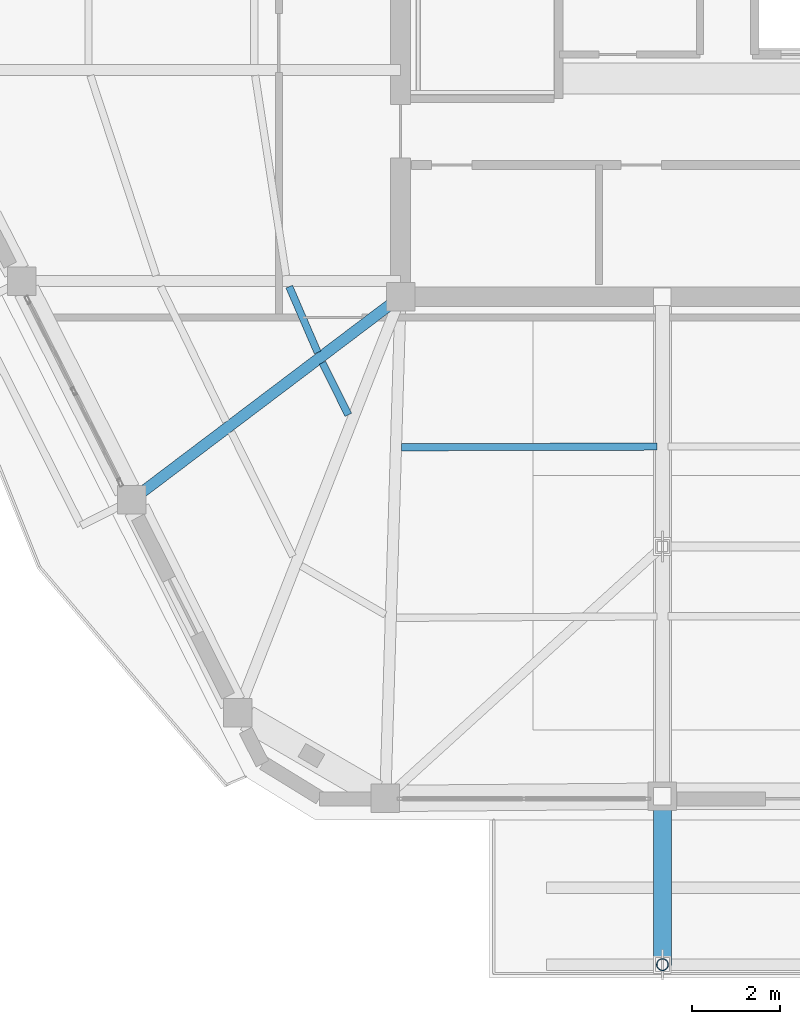
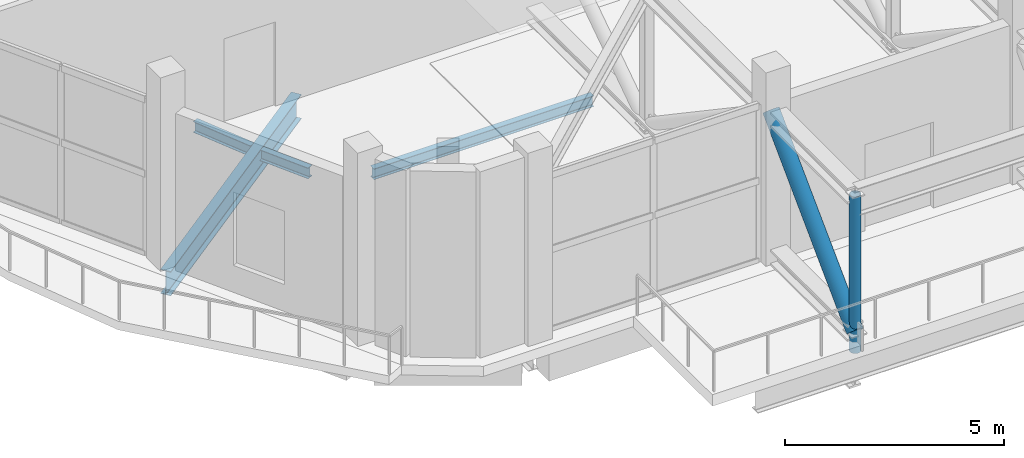
# One storey, part 4 of 23: 4 beams, 2 members.
"""IFC4 building model written with IfcOpenShell, lengths in metres."""

from ifc_helpers import new_model, si_unit, direction, frame, origin, origin_2d, place, context, subcontext, project, spatial, hollow_circle, i_section, extrude, material, material_profile, profile_set, type_object, element, save


model = new_model("IFC4")

# Units and contexts
model_context = context("Model", 3, precision=1e-05, world=origin(), true_north=direction((0.0, 1.0)))
body_context = subcontext(model_context, "Body", "Model", "MODEL_VIEW")
ifc_project = project(units=[si_unit("LENGTHUNIT", "METRE"), si_unit("AREAUNIT", "SQUARE_METRE"), si_unit("VOLUMEUNIT", "CUBIC_METRE"), si_unit("PLANEANGLEUNIT", "RADIAN"), si_unit("MASSUNIT", "GRAM", prefix="KILO")], contexts=[model_context])

# Site, building, storey
site_placement = place(None, origin())
site = spatial("IfcSite", under=ifc_project, at=site_placement, CompositionType="ELEMENT")
building_placement = place(site_placement, origin())
building = spatial("IfcBuilding", under=site, at=building_placement, Name="Cinnabar Lancet Tower", CompositionType="ELEMENT")
storey_placement = place(building_placement, frame((0.0, 0.0, 278.10009765625)))
storey = spatial("IfcBuildingStorey", under=building, at=storey_placement, Name="L74", CompositionType="ELEMENT", Elevation=278.10009765625)

# Beams
ifc_material_1 = material(Name="Structural steel S355", Category="steel")
ifc_material_profile_1 = material_profile(ifc_material_1, i_section(OverallWidth=0.1650390625, OverallDepth=0.303466796875, WebThickness=0.006103515625, FlangeThickness=0.01025390625, FilletRadius=0.0087890625, at=origin_2d()), Name="UKB 305x165x40")
ifc_profile_set_1 = profile_set([ifc_material_profile_1], Name="Structural steel S355")
beam_type_1 = type_object("IfcBeamType", Name="STR-BM-JST-305", PredefinedType="JOIST", material=ifc_profile_set_1)
beam_1_placement = place(storey_placement, frame((20.637939453125, 18.906005859375, -0.43212890625), z_axis=(0.396550498393, -0.918012909618, 0.0), x_axis=(0.918012909618, 0.396550498393, 0.0)))
element("IfcBeam", 1, at=beam_1_placement, inside=storey, type_object=beam_type_1, Name="L74 Secondary Floor Joist 4", PredefinedType="JOIST", context=body_context, shape_type="SweptSolid", body=[
    extrude(i_section(OverallWidth=0.1650390625, OverallDepth=0.303466796875, WebThickness=0.006103515625, FlangeThickness=0.01025390625, FilletRadius=0.0087890625, at=origin_2d()), origin(), (0.0, 0.0, 1.0), 1.634033203125),
])
beam_2_placement = place(storey_placement, frame((21.39501953125, 17.1708984375, -0.43212890625), z_axis=(0.444117564744, -0.895968519919, 0.0), x_axis=(0.895968519919, 0.444117564744, 0.0)))
element("IfcBeam", 2, at=beam_2_placement, inside=storey, type_object=beam_type_1, Name="L74 Secondary Floor Joist 6", PredefinedType="JOIST", context=body_context, shape_type="SweptSolid", body=[
    extrude(i_section(OverallWidth=0.1650390625, OverallDepth=0.303466796875, WebThickness=0.006103515625, FlangeThickness=0.01025390625, FilletRadius=0.0087890625, at=origin_2d()), origin(), (0.0, 0.0, 1.0), 1.325927734375),
])
beam_3_placement = place(storey_placement, frame((23.197998046875, 15.2451171875, -0.43212890625), z_axis=(0.999996727303, 0.002558394513, 0.0), x_axis=(-0.002558394513, 0.999996727303, 0.0)))
element("IfcBeam", 3, at=beam_3_placement, inside=storey, type_object=beam_type_1, Name="L74 Secondary Floor Joist 9", PredefinedType="JOIST", context=body_context, shape_type="SweptSolid", body=[
    extrude(i_section(OverallWidth=0.1650390625, OverallDepth=0.303466796875, WebThickness=0.006103515625, FlangeThickness=0.01025390625, FilletRadius=0.0087890625, at=origin_2d()), origin(), (0.0, 0.0, 1.0), 5.821044921875),
])
ifc_material_2 = material(Name="Structural steel S355", Category="steel")
ifc_material_profile_2 = material_profile(ifc_material_2, i_section(OverallWidth=0.253662109375, OverallDepth=0.68359375, WebThickness=0.012451171875, FlangeThickness=0.01904296875, FilletRadius=0.01513671875, at=origin_2d()), Name="UKB 686x254x140")
ifc_profile_set_2 = profile_set([ifc_material_profile_2], Name="Structural steel S355")
beam_type_2 = type_object("IfcBeamType", Name="STR-BM-UKB686-140", PredefinedType="BEAM", material=ifc_profile_set_2)
beam_4_placement = place(storey_placement, frame((17.051025390625, 14.0458984375, -0.6220703125), z_axis=(0.797735075719, 0.603008083667, 0.0), x_axis=(-0.603008083667, 0.797735075719, 0.0)))
element("IfcBeam", 4, at=beam_4_placement, inside=storey, type_object=beam_type_2, Name="L74 Corner Collector Girder 1", PredefinedType="BEAM", context=body_context, shape_type="SweptSolid", body=[
    extrude(i_section(OverallWidth=0.253662109375, OverallDepth=0.68359375, WebThickness=0.012451171875, FlangeThickness=0.01904296875, FilletRadius=0.01513671875, at=origin_2d()), origin(), (0.0, 0.0, 1.0), 7.6767578125),
])

# Members
ifc_material_3 = material(Name="Structural steel S460", Category="steel")
ifc_material_profile_3 = material_profile(ifc_material_3, hollow_circle(Radius=0.203125, WallThickness=0.02001953125, at=origin_2d()), Name="CHS 406.4x20")
ifc_profile_set_3 = profile_set([ifc_material_profile_3], Name="Structural steel S460")
member_type_1 = type_object("IfcMemberType", Name="STR-MEM-SP-BRC-EXT", PredefinedType="BRACE", material=ifc_profile_set_3)
member_1_placement = place(storey_placement, frame((29.14599609375, 3.449951171875, 0.2099609375), z_axis=(0.0, 0.707309007489, 0.706904497032), x_axis=(-1.0, 0.0, 0.0)))
element("IfcMember", 5, at=member_1_placement, inside=storey, type_object=member_type_1, Name="L74 Sky-Pool Truss 1 Diagonal 1", PredefinedType="BRACE", context=body_context, shape_type="SweptSolid", body=[
    extrude(hollow_circle(Radius=0.203125, WallThickness=0.02001953125, at=origin_2d()), origin(), (0.0, 0.0, 1.0), 5.431884765625),
])
ifc_material_4 = material(Name="Structural steel S460", Category="steel")
ifc_material_profile_4 = material_profile(ifc_material_4, hollow_circle(Radius=0.136474609375, WallThickness=0.012451171875, at=origin_2d()), Name="CHS 273x12.5")
ifc_profile_set_4 = profile_set([ifc_material_profile_4], Name="Structural steel S460")
member_type_2 = type_object("IfcMemberType", Name="STR-MEM-SP-PST273", PredefinedType="STRUT", material=ifc_profile_set_4)
member_2_placement = place(storey_placement, frame((29.14599609375, 3.449951171875, -0.320068359375), z_axis=(0.0, 0.0, 1.0), x_axis=(1.0, 0.0, 0.0)))
element("IfcMember", 6, at=member_2_placement, inside=storey, type_object=member_type_2, Name="L74 Sky-Pool Truss 1 Vertical Post", PredefinedType="STRUT", context=body_context, shape_type="SweptSolid", body=[
    extrude(hollow_circle(Radius=0.136474609375, WallThickness=0.012451171875, at=origin_2d()), origin(), (0.0, 0.0, 1.0), 4.369873046875),
])

save(model, "model.ifc")
